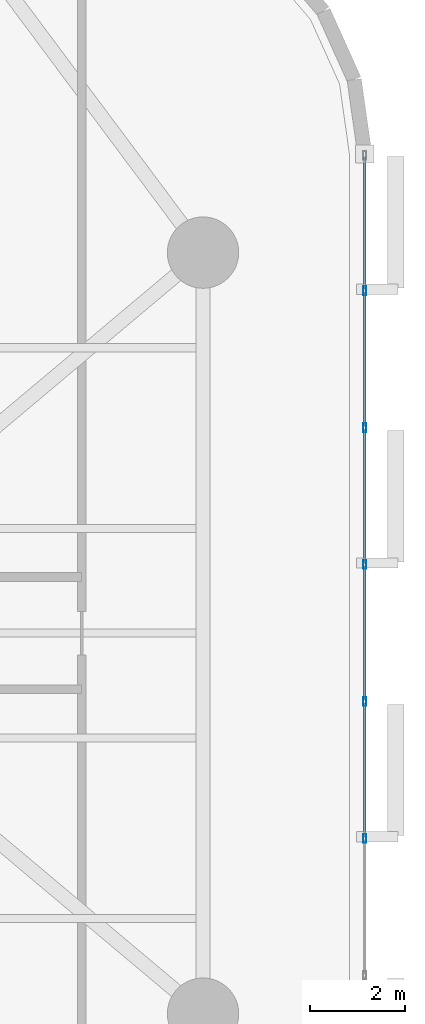
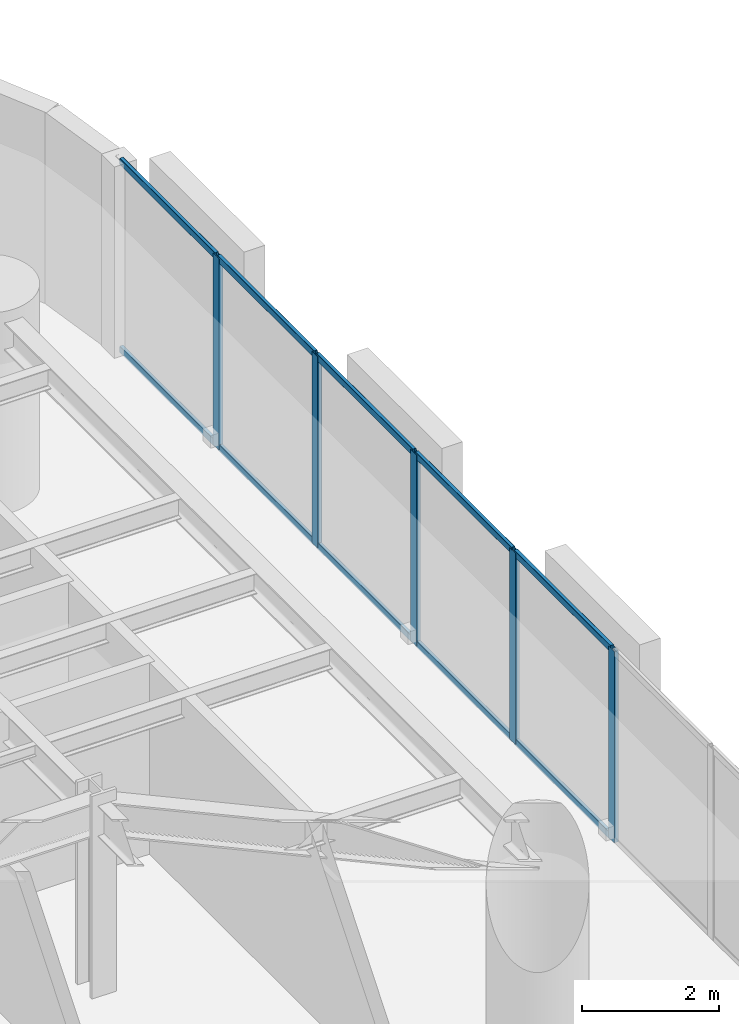
# One storey, part 6 of 15: 15 members, 1 element without a shape of its own.
"""IFC4 building model written with IfcOpenShell, lengths in metres."""

from ifc_helpers import new_model, si_unit, direction, frame, origin, origin_2d, place, context, subcontext, project, spatial, hollow_rectangle, extrude, material, layer, layer_set, material_profile, profile_set, type_object, element, aggregate, save


model = new_model("IFC4")

# Units and contexts
model_context = context("Model", 3, precision=1e-05, world=origin(), true_north=direction((0.0, 1.0)))
body_context = subcontext(model_context, "Body", "Model", "MODEL_VIEW")
ifc_project = project(units=[si_unit("LENGTHUNIT", "METRE"), si_unit("AREAUNIT", "SQUARE_METRE"), si_unit("VOLUMEUNIT", "CUBIC_METRE"), si_unit("PLANEANGLEUNIT", "RADIAN"), si_unit("MASSUNIT", "GRAM", prefix="KILO")], contexts=[model_context])

# Site, building, storey
site_placement = place(None, origin())
site = spatial("IfcSite", under=ifc_project, at=site_placement, CompositionType="ELEMENT")
building_placement = place(site_placement, origin())
building = spatial("IfcBuilding", under=site, at=building_placement, Name="An Khanh Terracotta Commons", CompositionType="ELEMENT")
storey_placement = place(building_placement, frame((0.0, 0.0, 64.800048828125)))
storey = spatial("IfcBuildingStorey", under=building, at=storey_placement, Name="L17", CompositionType="ELEMENT", Elevation=64.800048828125)

# Curtain wall, members
ifc_material = material(Name="Anodised Aluminium 6063-T6", Category="aluminium")
ifc_layer = layer(ifc_material, 0.199951171875, Name="Anodised Aluminium 6063-T6")
ifc_layer_set = layer_set([ifc_layer], Name="Anodised Aluminium 6063-T6")
curtain_wall_type = type_object("IfcCurtainWallType", Name="CW-SYS-02", PredefinedType="USERDEFINED", material=ifc_layer_set)
curtain_wall_placement = place(storey_placement, origin())
curtain_wall = element("IfcCurtainWall", 1, at=curtain_wall_placement, inside=storey, type_object=curtain_wall_type, Name="L17 CW-02 Unitised Curtain Wall CW-L17-12", ObjectType="UNITISED CURTAIN WALL", PredefinedType="USERDEFINED")
ifc_material_profile_1 = material_profile(ifc_material, hollow_rectangle(XDim=0.070068359375, YDim=0.179931640625, WallThickness=0.00390625, InnerFilletRadius=0.00390625, OuterFilletRadius=0.008056640625, at=origin_2d()), Name="RHS180x70x4")
ifc_profile_set_1 = profile_set([ifc_material_profile_1], Name="Anodised Aluminium 6063-T6")
member_type_1 = type_object("IfcMemberType", Name="CWM-RHS180x70x4", PredefinedType="MULLION", material=ifc_profile_set_1)
member_1_placement = place(storey_placement, frame((51.60009765625, 19.681396484375, 0.0), z_axis=(0.0, 0.0, 1.0), x_axis=(-1.0, 0.0, 0.0)))
member_1 = element("IfcMember", 2, at=member_1_placement, type_object=member_type_1, Name="CW-02 mullion 3", PredefinedType="MULLION", context=body_context, shape_type="SweptSolid", body=[
    extrude(hollow_rectangle(XDim=0.070068359375, YDim=0.179931640625, WallThickness=0.00390625, InnerFilletRadius=0.00390625, OuterFilletRadius=0.008056640625, at=origin_2d()), origin(), (0.0, 0.0, 1.0), 3.39990234375),
])
member_2_placement = place(storey_placement, frame((51.60009765625, 22.560546875, 0.0), z_axis=(0.0, 0.0, 1.0), x_axis=(-1.0, 0.0, 0.0)))
member_2 = element("IfcMember", 3, at=member_2_placement, type_object=member_type_1, Name="CW-02 mullion 4", PredefinedType="MULLION", context=body_context, shape_type="SweptSolid", body=[
    extrude(hollow_rectangle(XDim=0.070068359375, YDim=0.179931640625, WallThickness=0.00390625, InnerFilletRadius=0.00390625, OuterFilletRadius=0.008056640625, at=origin_2d()), origin(), (0.0, 0.0, 1.0), 3.39990234375),
])
member_3_placement = place(storey_placement, frame((51.60009765625, 25.439453125, 0.0), z_axis=(0.0, 0.0, 1.0), x_axis=(-1.0, 0.0, 0.0)))
member_3 = element("IfcMember", 4, at=member_3_placement, type_object=member_type_1, Name="CW-02 mullion 5", PredefinedType="MULLION", context=body_context, shape_type="SweptSolid", body=[
    extrude(hollow_rectangle(XDim=0.070068359375, YDim=0.179931640625, WallThickness=0.00390625, InnerFilletRadius=0.00390625, OuterFilletRadius=0.008056640625, at=origin_2d()), origin(), (0.0, 0.0, 1.0), 3.39990234375),
])
member_4_placement = place(storey_placement, frame((51.60009765625, 28.318603515625, 0.0), z_axis=(0.0, 0.0, 1.0), x_axis=(-1.0, 0.0, 0.0)))
member_4 = element("IfcMember", 5, at=member_4_placement, type_object=member_type_1, Name="CW-02 mullion 6", PredefinedType="MULLION", context=body_context, shape_type="SweptSolid", body=[
    extrude(hollow_rectangle(XDim=0.070068359375, YDim=0.179931640625, WallThickness=0.00390625, InnerFilletRadius=0.00390625, OuterFilletRadius=0.008056640625, at=origin_2d()), origin(), (0.0, 0.0, 1.0), 3.39990234375),
])
member_5_placement = place(storey_placement, frame((51.60009765625, 31.19775390625, 0.0), z_axis=(0.0, 0.0, 1.0), x_axis=(-1.0, 0.0, 0.0)))
member_5 = element("IfcMember", 6, at=member_5_placement, type_object=member_type_1, Name="CW-02 mullion 7", PredefinedType="MULLION", context=body_context, shape_type="SweptSolid", body=[
    extrude(hollow_rectangle(XDim=0.070068359375, YDim=0.179931640625, WallThickness=0.00390625, InnerFilletRadius=0.00390625, OuterFilletRadius=0.008056640625, at=origin_2d()), origin(), (0.0, 0.0, 1.0), 3.39990234375),
])
ifc_material_profile_2 = material_profile(ifc_material, hollow_rectangle(XDim=0.06005859375, YDim=0.1201171875, WallThickness=0.003662109375, InnerFilletRadius=0.003662109375, OuterFilletRadius=0.007080078125, at=origin_2d()), Name="RHS120x60x3.6")
ifc_profile_set_2 = profile_set([ifc_material_profile_2], Name="Anodised Aluminium 6063-T6")
member_type_2 = type_object("IfcMemberType", Name="CWT-RHS120x60x3.6", PredefinedType="USERDEFINED", material=ifc_profile_set_2)
member_6_placement = place(storey_placement, frame((51.60009765625, 19.71630859375, 0.030029296875), z_axis=(0.0, 1.0, 0.0), x_axis=(-1.0, 0.0, 0.0)))
member_6 = element("IfcMember", 7, at=member_6_placement, type_object=member_type_2, Name="CW-02 transom 3.1", ObjectType="TRANSOM", PredefinedType="USERDEFINED", context=body_context, shape_type="SweptSolid", body=[
    extrude(hollow_rectangle(XDim=0.06005859375, YDim=0.1201171875, WallThickness=0.003662109375, InnerFilletRadius=0.003662109375, OuterFilletRadius=0.007080078125, at=origin_2d()), origin(), (0.0, 0.0, 1.0), 2.80908203125),
])
member_7_placement = place(storey_placement, frame((51.60009765625, 19.71630859375, 3.369873046875), z_axis=(0.0, 1.0, 0.0), x_axis=(-1.0, 0.0, 0.0)))
member_7 = element("IfcMember", 8, at=member_7_placement, type_object=member_type_2, Name="CW-02 transom 3.2", ObjectType="TRANSOM", PredefinedType="USERDEFINED", context=body_context, shape_type="SweptSolid", body=[
    extrude(hollow_rectangle(XDim=0.06005859375, YDim=0.1201171875, WallThickness=0.003662109375, InnerFilletRadius=0.003662109375, OuterFilletRadius=0.007080078125, at=origin_2d()), origin(), (0.0, 0.0, 1.0), 2.80908203125),
])
member_8_placement = place(storey_placement, frame((51.60009765625, 22.595458984375, 0.030029296875), z_axis=(0.0, 1.0, 0.0), x_axis=(-1.0, 0.0, 0.0)))
member_8 = element("IfcMember", 9, at=member_8_placement, type_object=member_type_2, Name="CW-02 transom 4.1", ObjectType="TRANSOM", PredefinedType="USERDEFINED", context=body_context, shape_type="SweptSolid", body=[
    extrude(hollow_rectangle(XDim=0.06005859375, YDim=0.1201171875, WallThickness=0.003662109375, InnerFilletRadius=0.003662109375, OuterFilletRadius=0.007080078125, at=origin_2d()), origin(), (0.0, 0.0, 1.0), 2.80908203125),
])
member_9_placement = place(storey_placement, frame((51.60009765625, 22.595458984375, 3.369873046875), z_axis=(0.0, 1.0, 0.0), x_axis=(-1.0, 0.0, 0.0)))
member_9 = element("IfcMember", 10, at=member_9_placement, type_object=member_type_2, Name="CW-02 transom 4.2", ObjectType="TRANSOM", PredefinedType="USERDEFINED", context=body_context, shape_type="SweptSolid", body=[
    extrude(hollow_rectangle(XDim=0.06005859375, YDim=0.1201171875, WallThickness=0.003662109375, InnerFilletRadius=0.003662109375, OuterFilletRadius=0.007080078125, at=origin_2d()), origin(), (0.0, 0.0, 1.0), 2.80908203125),
])
member_10_placement = place(storey_placement, frame((51.60009765625, 25.474609375, 0.030029296875), z_axis=(0.0, 1.0, 0.0), x_axis=(-1.0, 0.0, 0.0)))
member_10 = element("IfcMember", 11, at=member_10_placement, type_object=member_type_2, Name="CW-02 transom 5.1", ObjectType="TRANSOM", PredefinedType="USERDEFINED", context=body_context, shape_type="SweptSolid", body=[
    extrude(hollow_rectangle(XDim=0.06005859375, YDim=0.1201171875, WallThickness=0.003662109375, InnerFilletRadius=0.003662109375, OuterFilletRadius=0.007080078125, at=origin_2d()), origin(), (0.0, 0.0, 1.0), 2.80908203125),
])
member_11_placement = place(storey_placement, frame((51.60009765625, 25.474609375, 3.369873046875), z_axis=(0.0, 1.0, 0.0), x_axis=(-1.0, 0.0, 0.0)))
member_11 = element("IfcMember", 12, at=member_11_placement, type_object=member_type_2, Name="CW-02 transom 5.2", ObjectType="TRANSOM", PredefinedType="USERDEFINED", context=body_context, shape_type="SweptSolid", body=[
    extrude(hollow_rectangle(XDim=0.06005859375, YDim=0.1201171875, WallThickness=0.003662109375, InnerFilletRadius=0.003662109375, OuterFilletRadius=0.007080078125, at=origin_2d()), origin(), (0.0, 0.0, 1.0), 2.80908203125),
])
member_12_placement = place(storey_placement, frame((51.60009765625, 28.353759765625, 0.030029296875), z_axis=(0.0, 1.0, 0.0), x_axis=(-1.0, 0.0, 0.0)))
member_12 = element("IfcMember", 13, at=member_12_placement, type_object=member_type_2, Name="CW-02 transom 6.1", ObjectType="TRANSOM", PredefinedType="USERDEFINED", context=body_context, shape_type="SweptSolid", body=[
    extrude(hollow_rectangle(XDim=0.06005859375, YDim=0.1201171875, WallThickness=0.003662109375, InnerFilletRadius=0.003662109375, OuterFilletRadius=0.007080078125, at=origin_2d()), origin(), (0.0, 0.0, 1.0), 2.80908203125),
])
member_13_placement = place(storey_placement, frame((51.60009765625, 28.353759765625, 3.369873046875), z_axis=(0.0, 1.0, 0.0), x_axis=(-1.0, 0.0, 0.0)))
member_13 = element("IfcMember", 14, at=member_13_placement, type_object=member_type_2, Name="CW-02 transom 6.2", ObjectType="TRANSOM", PredefinedType="USERDEFINED", context=body_context, shape_type="SweptSolid", body=[
    extrude(hollow_rectangle(XDim=0.06005859375, YDim=0.1201171875, WallThickness=0.003662109375, InnerFilletRadius=0.003662109375, OuterFilletRadius=0.007080078125, at=origin_2d()), origin(), (0.0, 0.0, 1.0), 2.80908203125),
])
member_14_placement = place(storey_placement, frame((51.60009765625, 31.23291015625, 0.030029296875), z_axis=(0.0, 1.0, 0.0), x_axis=(-1.0, 0.0, 0.0)))
member_14 = element("IfcMember", 15, at=member_14_placement, type_object=member_type_2, Name="CW-02 transom 7.1", ObjectType="TRANSOM", PredefinedType="USERDEFINED", context=body_context, shape_type="SweptSolid", body=[
    extrude(hollow_rectangle(XDim=0.06005859375, YDim=0.1201171875, WallThickness=0.003662109375, InnerFilletRadius=0.003662109375, OuterFilletRadius=0.007080078125, at=origin_2d()), origin(), (0.0, 0.0, 1.0), 2.774169921875),
])
member_15_placement = place(storey_placement, frame((51.60009765625, 31.23291015625, 3.369873046875), z_axis=(0.0, 1.0, 0.0), x_axis=(-1.0, 0.0, 0.0)))
member_15 = element("IfcMember", 16, at=member_15_placement, type_object=member_type_2, Name="CW-02 transom 7.2", ObjectType="TRANSOM", PredefinedType="USERDEFINED", context=body_context, shape_type="SweptSolid", body=[
    extrude(hollow_rectangle(XDim=0.06005859375, YDim=0.1201171875, WallThickness=0.003662109375, InnerFilletRadius=0.003662109375, OuterFilletRadius=0.007080078125, at=origin_2d()), origin(), (0.0, 0.0, 1.0), 2.774169921875),
])
aggregate(curtain_wall, [member_1, member_2, member_3, member_4, member_5, member_6, member_7, member_8, member_9, member_10, member_11, member_12, member_13, member_14, member_15])

save(model, "model.ifc")
